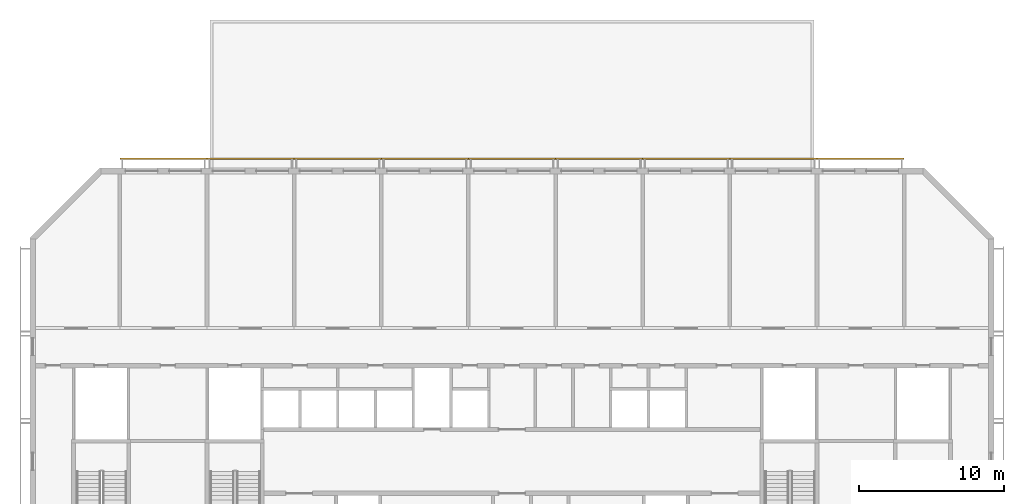
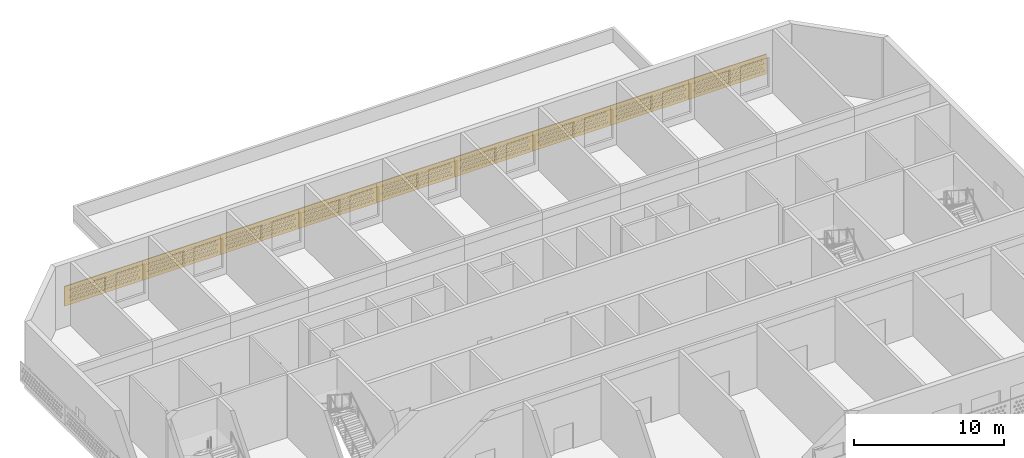
# One storey, part 17 of 18: 9 coverings.
"""IFC4 building model written with IfcOpenShell, lengths in metres."""

from ifc_helpers import new_model, si_unit, direction, frame, origin, place, context, subcontext, project, spatial, polyline, outline, extrude, source, transform, mapped, material, material_profile, profile_set, type_object, element, save


model = new_model("IFC4")

# Units and contexts
model_context = context("Model", 3, precision=1e-05, world=origin(), true_north=direction((0.0, 1.0)))
body_context = subcontext(model_context, "Body", "Model", "MODEL_VIEW")
ifc_project = project(units=[si_unit("LENGTHUNIT", "METRE"), si_unit("AREAUNIT", "SQUARE_METRE"), si_unit("VOLUMEUNIT", "CUBIC_METRE"), si_unit("PLANEANGLEUNIT", "RADIAN"), si_unit("MASSUNIT", "GRAM", prefix="KILO")], contexts=[model_context])

# Site, building, storey
site_placement = place(None, origin())
site = spatial("IfcSite", under=ifc_project, at=site_placement, CompositionType="ELEMENT")
building_placement = place(site_placement, origin())
building = spatial("IfcBuilding", under=site, at=building_placement, Name="Poui Terraces", CompositionType="ELEMENT")
storey_placement = place(building_placement, frame((0.0, 0.0, 267.0)))
storey = spatial("IfcBuildingStorey", under=building, at=storey_placement, Name="L74", CompositionType="ELEMENT", Elevation=267.0)

# Coverings
ifc_material = material(Name="Terracotta screen", Category="masonry")
ifc_material_profile = material_profile(ifc_material, outline(polyline([(-3.0, -0.800048828125), (3.0, -0.800048828125), (3.0, 0.800048828125), (-3.0, 0.800048828125), (-3.0, -0.800048828125)]), holes=[polyline([(-2.800048828125, -0.449951171875), (-2.68994140625, -0.56005859375), (-2.580078125, -0.449951171875), (-2.68994140625, -0.340087890625), (-2.800048828125, -0.449951171875)]), polyline([(-2.5, -0.449951171875), (-2.389892578125, -0.56005859375), (-2.280029296875, -0.449951171875), (-2.389892578125, -0.340087890625), (-2.5, -0.449951171875)]), polyline([(-2.199951171875, -0.449951171875), (-2.090087890625, -0.56005859375), (-1.97998046875, -0.449951171875), (-2.090087890625, -0.340087890625), (-2.199951171875, -0.449951171875)]), polyline([(-1.89990234375, -0.449951171875), (-1.7900390625, -0.56005859375), (-1.679931640625, -0.449951171875), (-1.7900390625, -0.340087890625), (-1.89990234375, -0.449951171875)]), polyline([(-1.60009765625, -0.449951171875), (-1.489990234375, -0.56005859375), (-1.3798828125, -0.449951171875), (-1.489990234375, -0.340087890625), (-1.60009765625, -0.449951171875)]), polyline([(-1.300048828125, -0.449951171875), (-1.18994140625, -0.56005859375), (-1.080078125, -0.449951171875), (-1.18994140625, -0.340087890625), (-1.300048828125, -0.449951171875)]), polyline([(-1.0, -0.449951171875), (-0.889892578125, -0.56005859375), (-0.780029296875, -0.449951171875), (-0.889892578125, -0.340087890625), (-1.0, -0.449951171875)]), polyline([(-0.699951171875, -0.449951171875), (-0.590087890625, -0.56005859375), (-0.47998046875, -0.449951171875), (-0.590087890625, -0.340087890625), (-0.699951171875, -0.449951171875)]), polyline([(-0.39990234375, -0.449951171875), (-0.2900390625, -0.56005859375), (-0.179931640625, -0.449951171875), (-0.2900390625, -0.340087890625), (-0.39990234375, -0.449951171875)]), polyline([(-0.10009765625, -0.449951171875), (0.010009765625, -0.56005859375), (0.1201171875, -0.449951171875), (0.010009765625, -0.340087890625), (-0.10009765625, -0.449951171875)]), polyline([(0.199951171875, -0.449951171875), (0.31005859375, -0.56005859375), (0.419921875, -0.449951171875), (0.31005859375, -0.340087890625), (0.199951171875, -0.449951171875)]), polyline([(0.5, -0.449951171875), (0.610107421875, -0.56005859375), (0.719970703125, -0.449951171875), (0.610107421875, -0.340087890625), (0.5, -0.449951171875)]), polyline([(0.800048828125, -0.449951171875), (0.909912109375, -0.56005859375), (1.02001953125, -0.449951171875), (0.909912109375, -0.340087890625), (0.800048828125, -0.449951171875)]), polyline([(1.10009765625, -0.449951171875), (1.2099609375, -0.56005859375), (1.320068359375, -0.449951171875), (1.2099609375, -0.340087890625), (1.10009765625, -0.449951171875)]), polyline([(1.39990234375, -0.449951171875), (1.510009765625, -0.56005859375), (1.6201171875, -0.449951171875), (1.510009765625, -0.340087890625), (1.39990234375, -0.449951171875)]), polyline([(1.699951171875, -0.449951171875), (1.81005859375, -0.56005859375), (1.919921875, -0.449951171875), (1.81005859375, -0.340087890625), (1.699951171875, -0.449951171875)]), polyline([(2.0, -0.449951171875), (2.110107421875, -0.56005859375), (2.219970703125, -0.449951171875), (2.110107421875, -0.340087890625), (2.0, -0.449951171875)]), polyline([(2.300048828125, -0.449951171875), (2.409912109375, -0.56005859375), (2.52001953125, -0.449951171875), (2.409912109375, -0.340087890625), (2.300048828125, -0.449951171875)]), polyline([(-2.64990234375, -0.14990234375), (-2.5400390625, -0.260009765625), (-2.429931640625, -0.14990234375), (-2.5400390625, -0.0400390625), (-2.64990234375, -0.14990234375)]), polyline([(-2.35009765625, -0.14990234375), (-2.239990234375, -0.260009765625), (-2.1298828125, -0.14990234375), (-2.239990234375, -0.0400390625), (-2.35009765625, -0.14990234375)]), polyline([(-2.050048828125, -0.14990234375), (-1.93994140625, -0.260009765625), (-1.830078125, -0.14990234375), (-1.93994140625, -0.0400390625), (-2.050048828125, -0.14990234375)]), polyline([(-1.75, -0.14990234375), (-1.639892578125, -0.260009765625), (-1.530029296875, -0.14990234375), (-1.639892578125, -0.0400390625), (-1.75, -0.14990234375)]), polyline([(-1.449951171875, -0.14990234375), (-1.340087890625, -0.260009765625), (-1.22998046875, -0.14990234375), (-1.340087890625, -0.0400390625), (-1.449951171875, -0.14990234375)]), polyline([(-1.14990234375, -0.14990234375), (-1.0400390625, -0.260009765625), (-0.929931640625, -0.14990234375), (-1.0400390625, -0.0400390625), (-1.14990234375, -0.14990234375)]), polyline([(-0.85009765625, -0.14990234375), (-0.739990234375, -0.260009765625), (-0.6298828125, -0.14990234375), (-0.739990234375, -0.0400390625), (-0.85009765625, -0.14990234375)]), polyline([(-0.550048828125, -0.14990234375), (-0.43994140625, -0.260009765625), (-0.330078125, -0.14990234375), (-0.43994140625, -0.0400390625), (-0.550048828125, -0.14990234375)]), polyline([(-0.25, -0.14990234375), (-0.139892578125, -0.260009765625), (-0.030029296875, -0.14990234375), (-0.139892578125, -0.0400390625), (-0.25, -0.14990234375)]), polyline([(0.050048828125, -0.14990234375), (0.159912109375, -0.260009765625), (0.27001953125, -0.14990234375), (0.159912109375, -0.0400390625), (0.050048828125, -0.14990234375)]), polyline([(0.35009765625, -0.14990234375), (0.4599609375, -0.260009765625), (0.570068359375, -0.14990234375), (0.4599609375, -0.0400390625), (0.35009765625, -0.14990234375)]), polyline([(0.64990234375, -0.14990234375), (0.760009765625, -0.260009765625), (0.8701171875, -0.14990234375), (0.760009765625, -0.0400390625), (0.64990234375, -0.14990234375)]), polyline([(0.949951171875, -0.14990234375), (1.06005859375, -0.260009765625), (1.169921875, -0.14990234375), (1.06005859375, -0.0400390625), (0.949951171875, -0.14990234375)]), polyline([(1.25, -0.14990234375), (1.360107421875, -0.260009765625), (1.469970703125, -0.14990234375), (1.360107421875, -0.0400390625), (1.25, -0.14990234375)]), polyline([(1.550048828125, -0.14990234375), (1.659912109375, -0.260009765625), (1.77001953125, -0.14990234375), (1.659912109375, -0.0400390625), (1.550048828125, -0.14990234375)]), polyline([(1.85009765625, -0.14990234375), (1.9599609375, -0.260009765625), (2.070068359375, -0.14990234375), (1.9599609375, -0.0400390625), (1.85009765625, -0.14990234375)]), polyline([(2.14990234375, -0.14990234375), (2.260009765625, -0.260009765625), (2.3701171875, -0.14990234375), (2.260009765625, -0.0400390625), (2.14990234375, -0.14990234375)]), polyline([(2.449951171875, -0.14990234375), (2.56005859375, -0.260009765625), (2.669921875, -0.14990234375), (2.56005859375, -0.0400390625), (2.449951171875, -0.14990234375)]), polyline([(-2.800048828125, 0.14990234375), (-2.68994140625, 0.0400390625), (-2.580078125, 0.14990234375), (-2.68994140625, 0.260009765625), (-2.800048828125, 0.14990234375)]), polyline([(-2.5, 0.14990234375), (-2.389892578125, 0.0400390625), (-2.280029296875, 0.14990234375), (-2.389892578125, 0.260009765625), (-2.5, 0.14990234375)]), polyline([(-2.199951171875, 0.14990234375), (-2.090087890625, 0.0400390625), (-1.97998046875, 0.14990234375), (-2.090087890625, 0.260009765625), (-2.199951171875, 0.14990234375)]), polyline([(-1.89990234375, 0.14990234375), (-1.7900390625, 0.0400390625), (-1.679931640625, 0.14990234375), (-1.7900390625, 0.260009765625), (-1.89990234375, 0.14990234375)]), polyline([(-1.60009765625, 0.14990234375), (-1.489990234375, 0.0400390625), (-1.3798828125, 0.14990234375), (-1.489990234375, 0.260009765625), (-1.60009765625, 0.14990234375)]), polyline([(-1.300048828125, 0.14990234375), (-1.18994140625, 0.0400390625), (-1.080078125, 0.14990234375), (-1.18994140625, 0.260009765625), (-1.300048828125, 0.14990234375)]), polyline([(-1.0, 0.14990234375), (-0.889892578125, 0.0400390625), (-0.780029296875, 0.14990234375), (-0.889892578125, 0.260009765625), (-1.0, 0.14990234375)]), polyline([(-0.699951171875, 0.14990234375), (-0.590087890625, 0.0400390625), (-0.47998046875, 0.14990234375), (-0.590087890625, 0.260009765625), (-0.699951171875, 0.14990234375)]), polyline([(-0.39990234375, 0.14990234375), (-0.2900390625, 0.0400390625), (-0.179931640625, 0.14990234375), (-0.2900390625, 0.260009765625), (-0.39990234375, 0.14990234375)]), polyline([(-0.10009765625, 0.14990234375), (0.010009765625, 0.0400390625), (0.1201171875, 0.14990234375), (0.010009765625, 0.260009765625), (-0.10009765625, 0.14990234375)]), polyline([(0.199951171875, 0.14990234375), (0.31005859375, 0.0400390625), (0.419921875, 0.14990234375), (0.31005859375, 0.260009765625), (0.199951171875, 0.14990234375)]), polyline([(0.5, 0.14990234375), (0.610107421875, 0.0400390625), (0.719970703125, 0.14990234375), (0.610107421875, 0.260009765625), (0.5, 0.14990234375)]), polyline([(0.800048828125, 0.14990234375), (0.909912109375, 0.0400390625), (1.02001953125, 0.14990234375), (0.909912109375, 0.260009765625), (0.800048828125, 0.14990234375)]), polyline([(1.10009765625, 0.14990234375), (1.2099609375, 0.0400390625), (1.320068359375, 0.14990234375), (1.2099609375, 0.260009765625), (1.10009765625, 0.14990234375)]), polyline([(1.39990234375, 0.14990234375), (1.510009765625, 0.0400390625), (1.6201171875, 0.14990234375), (1.510009765625, 0.260009765625), (1.39990234375, 0.14990234375)]), polyline([(1.699951171875, 0.14990234375), (1.81005859375, 0.0400390625), (1.919921875, 0.14990234375), (1.81005859375, 0.260009765625), (1.699951171875, 0.14990234375)]), polyline([(2.0, 0.14990234375), (2.110107421875, 0.0400390625), (2.219970703125, 0.14990234375), (2.110107421875, 0.260009765625), (2.0, 0.14990234375)]), polyline([(2.300048828125, 0.14990234375), (2.409912109375, 0.0400390625), (2.52001953125, 0.14990234375), (2.409912109375, 0.260009765625), (2.300048828125, 0.14990234375)]), polyline([(-2.64990234375, 0.449951171875), (-2.5400390625, 0.340087890625), (-2.429931640625, 0.449951171875), (-2.5400390625, 0.56005859375), (-2.64990234375, 0.449951171875)]), polyline([(-2.35009765625, 0.449951171875), (-2.239990234375, 0.340087890625), (-2.1298828125, 0.449951171875), (-2.239990234375, 0.56005859375), (-2.35009765625, 0.449951171875)]), polyline([(-2.050048828125, 0.449951171875), (-1.93994140625, 0.340087890625), (-1.830078125, 0.449951171875), (-1.93994140625, 0.56005859375), (-2.050048828125, 0.449951171875)]), polyline([(-1.75, 0.449951171875), (-1.639892578125, 0.340087890625), (-1.530029296875, 0.449951171875), (-1.639892578125, 0.56005859375), (-1.75, 0.449951171875)]), polyline([(-1.449951171875, 0.449951171875), (-1.340087890625, 0.340087890625), (-1.22998046875, 0.449951171875), (-1.340087890625, 0.56005859375), (-1.449951171875, 0.449951171875)]), polyline([(-1.14990234375, 0.449951171875), (-1.0400390625, 0.340087890625), (-0.929931640625, 0.449951171875), (-1.0400390625, 0.56005859375), (-1.14990234375, 0.449951171875)]), polyline([(-0.85009765625, 0.449951171875), (-0.739990234375, 0.340087890625), (-0.6298828125, 0.449951171875), (-0.739990234375, 0.56005859375), (-0.85009765625, 0.449951171875)]), polyline([(-0.550048828125, 0.449951171875), (-0.43994140625, 0.340087890625), (-0.330078125, 0.449951171875), (-0.43994140625, 0.56005859375), (-0.550048828125, 0.449951171875)]), polyline([(-0.25, 0.449951171875), (-0.139892578125, 0.340087890625), (-0.030029296875, 0.449951171875), (-0.139892578125, 0.56005859375), (-0.25, 0.449951171875)]), polyline([(0.050048828125, 0.449951171875), (0.159912109375, 0.340087890625), (0.27001953125, 0.449951171875), (0.159912109375, 0.56005859375), (0.050048828125, 0.449951171875)]), polyline([(0.35009765625, 0.449951171875), (0.4599609375, 0.340087890625), (0.570068359375, 0.449951171875), (0.4599609375, 0.56005859375), (0.35009765625, 0.449951171875)]), polyline([(0.64990234375, 0.449951171875), (0.760009765625, 0.340087890625), (0.8701171875, 0.449951171875), (0.760009765625, 0.56005859375), (0.64990234375, 0.449951171875)]), polyline([(0.949951171875, 0.449951171875), (1.06005859375, 0.340087890625), (1.169921875, 0.449951171875), (1.06005859375, 0.56005859375), (0.949951171875, 0.449951171875)]), polyline([(1.25, 0.449951171875), (1.360107421875, 0.340087890625), (1.469970703125, 0.449951171875), (1.360107421875, 0.56005859375), (1.25, 0.449951171875)]), polyline([(1.550048828125, 0.449951171875), (1.659912109375, 0.340087890625), (1.77001953125, 0.449951171875), (1.659912109375, 0.56005859375), (1.550048828125, 0.449951171875)]), polyline([(1.85009765625, 0.449951171875), (1.9599609375, 0.340087890625), (2.070068359375, 0.449951171875), (1.9599609375, 0.56005859375), (1.85009765625, 0.449951171875)]), polyline([(2.14990234375, 0.449951171875), (2.260009765625, 0.340087890625), (2.3701171875, 0.449951171875), (2.260009765625, 0.56005859375), (2.14990234375, 0.449951171875)]), polyline([(2.449951171875, 0.449951171875), (2.56005859375, 0.340087890625), (2.669921875, 0.449951171875), (2.56005859375, 0.56005859375), (2.449951171875, 0.449951171875)])]), Name="TERRACOTTA SOLAR SCREEN 6000X1600")
ifc_profile_set = profile_set([ifc_material_profile], Name="Terracotta screen")
covering_type = type_object("IfcCoveringType", Name="TERRACOTTA SOLAR SCREEN 6000X1600", PredefinedType="CLADDING", material=ifc_profile_set)
shared_shape = source(origin(), body_context, "Body", "SweptSolid", [
    extrude(outline(polyline([(-3.0, -0.800048828125), (3.0, -0.800048828125), (3.0, 0.800048828125), (-3.0, 0.800048828125), (-3.0, -0.800048828125)]), holes=[polyline([(-2.800048828125, -0.449951171875), (-2.68994140625, -0.56005859375), (-2.580078125, -0.449951171875), (-2.68994140625, -0.340087890625), (-2.800048828125, -0.449951171875)]), polyline([(-2.5, -0.449951171875), (-2.389892578125, -0.56005859375), (-2.280029296875, -0.449951171875), (-2.389892578125, -0.340087890625), (-2.5, -0.449951171875)]), polyline([(-2.199951171875, -0.449951171875), (-2.090087890625, -0.56005859375), (-1.97998046875, -0.449951171875), (-2.090087890625, -0.340087890625), (-2.199951171875, -0.449951171875)]), polyline([(-1.89990234375, -0.449951171875), (-1.7900390625, -0.56005859375), (-1.679931640625, -0.449951171875), (-1.7900390625, -0.340087890625), (-1.89990234375, -0.449951171875)]), polyline([(-1.60009765625, -0.449951171875), (-1.489990234375, -0.56005859375), (-1.3798828125, -0.449951171875), (-1.489990234375, -0.340087890625), (-1.60009765625, -0.449951171875)]), polyline([(-1.300048828125, -0.449951171875), (-1.18994140625, -0.56005859375), (-1.080078125, -0.449951171875), (-1.18994140625, -0.340087890625), (-1.300048828125, -0.449951171875)]), polyline([(-1.0, -0.449951171875), (-0.889892578125, -0.56005859375), (-0.780029296875, -0.449951171875), (-0.889892578125, -0.340087890625), (-1.0, -0.449951171875)]), polyline([(-0.699951171875, -0.449951171875), (-0.590087890625, -0.56005859375), (-0.47998046875, -0.449951171875), (-0.590087890625, -0.340087890625), (-0.699951171875, -0.449951171875)]), polyline([(-0.39990234375, -0.449951171875), (-0.2900390625, -0.56005859375), (-0.179931640625, -0.449951171875), (-0.2900390625, -0.340087890625), (-0.39990234375, -0.449951171875)]), polyline([(-0.10009765625, -0.449951171875), (0.010009765625, -0.56005859375), (0.1201171875, -0.449951171875), (0.010009765625, -0.340087890625), (-0.10009765625, -0.449951171875)]), polyline([(0.199951171875, -0.449951171875), (0.31005859375, -0.56005859375), (0.419921875, -0.449951171875), (0.31005859375, -0.340087890625), (0.199951171875, -0.449951171875)]), polyline([(0.5, -0.449951171875), (0.610107421875, -0.56005859375), (0.719970703125, -0.449951171875), (0.610107421875, -0.340087890625), (0.5, -0.449951171875)]), polyline([(0.800048828125, -0.449951171875), (0.909912109375, -0.56005859375), (1.02001953125, -0.449951171875), (0.909912109375, -0.340087890625), (0.800048828125, -0.449951171875)]), polyline([(1.10009765625, -0.449951171875), (1.2099609375, -0.56005859375), (1.320068359375, -0.449951171875), (1.2099609375, -0.340087890625), (1.10009765625, -0.449951171875)]), polyline([(1.39990234375, -0.449951171875), (1.510009765625, -0.56005859375), (1.6201171875, -0.449951171875), (1.510009765625, -0.340087890625), (1.39990234375, -0.449951171875)]), polyline([(1.699951171875, -0.449951171875), (1.81005859375, -0.56005859375), (1.919921875, -0.449951171875), (1.81005859375, -0.340087890625), (1.699951171875, -0.449951171875)]), polyline([(2.0, -0.449951171875), (2.110107421875, -0.56005859375), (2.219970703125, -0.449951171875), (2.110107421875, -0.340087890625), (2.0, -0.449951171875)]), polyline([(2.300048828125, -0.449951171875), (2.409912109375, -0.56005859375), (2.52001953125, -0.449951171875), (2.409912109375, -0.340087890625), (2.300048828125, -0.449951171875)]), polyline([(-2.64990234375, -0.14990234375), (-2.5400390625, -0.260009765625), (-2.429931640625, -0.14990234375), (-2.5400390625, -0.0400390625), (-2.64990234375, -0.14990234375)]), polyline([(-2.35009765625, -0.14990234375), (-2.239990234375, -0.260009765625), (-2.1298828125, -0.14990234375), (-2.239990234375, -0.0400390625), (-2.35009765625, -0.14990234375)]), polyline([(-2.050048828125, -0.14990234375), (-1.93994140625, -0.260009765625), (-1.830078125, -0.14990234375), (-1.93994140625, -0.0400390625), (-2.050048828125, -0.14990234375)]), polyline([(-1.75, -0.14990234375), (-1.639892578125, -0.260009765625), (-1.530029296875, -0.14990234375), (-1.639892578125, -0.0400390625), (-1.75, -0.14990234375)]), polyline([(-1.449951171875, -0.14990234375), (-1.340087890625, -0.260009765625), (-1.22998046875, -0.14990234375), (-1.340087890625, -0.0400390625), (-1.449951171875, -0.14990234375)]), polyline([(-1.14990234375, -0.14990234375), (-1.0400390625, -0.260009765625), (-0.929931640625, -0.14990234375), (-1.0400390625, -0.0400390625), (-1.14990234375, -0.14990234375)]), polyline([(-0.85009765625, -0.14990234375), (-0.739990234375, -0.260009765625), (-0.6298828125, -0.14990234375), (-0.739990234375, -0.0400390625), (-0.85009765625, -0.14990234375)]), polyline([(-0.550048828125, -0.14990234375), (-0.43994140625, -0.260009765625), (-0.330078125, -0.14990234375), (-0.43994140625, -0.0400390625), (-0.550048828125, -0.14990234375)]), polyline([(-0.25, -0.14990234375), (-0.139892578125, -0.260009765625), (-0.030029296875, -0.14990234375), (-0.139892578125, -0.0400390625), (-0.25, -0.14990234375)]), polyline([(0.050048828125, -0.14990234375), (0.159912109375, -0.260009765625), (0.27001953125, -0.14990234375), (0.159912109375, -0.0400390625), (0.050048828125, -0.14990234375)]), polyline([(0.35009765625, -0.14990234375), (0.4599609375, -0.260009765625), (0.570068359375, -0.14990234375), (0.4599609375, -0.0400390625), (0.35009765625, -0.14990234375)]), polyline([(0.64990234375, -0.14990234375), (0.760009765625, -0.260009765625), (0.8701171875, -0.14990234375), (0.760009765625, -0.0400390625), (0.64990234375, -0.14990234375)]), polyline([(0.949951171875, -0.14990234375), (1.06005859375, -0.260009765625), (1.169921875, -0.14990234375), (1.06005859375, -0.0400390625), (0.949951171875, -0.14990234375)]), polyline([(1.25, -0.14990234375), (1.360107421875, -0.260009765625), (1.469970703125, -0.14990234375), (1.360107421875, -0.0400390625), (1.25, -0.14990234375)]), polyline([(1.550048828125, -0.14990234375), (1.659912109375, -0.260009765625), (1.77001953125, -0.14990234375), (1.659912109375, -0.0400390625), (1.550048828125, -0.14990234375)]), polyline([(1.85009765625, -0.14990234375), (1.9599609375, -0.260009765625), (2.070068359375, -0.14990234375), (1.9599609375, -0.0400390625), (1.85009765625, -0.14990234375)]), polyline([(2.14990234375, -0.14990234375), (2.260009765625, -0.260009765625), (2.3701171875, -0.14990234375), (2.260009765625, -0.0400390625), (2.14990234375, -0.14990234375)]), polyline([(2.449951171875, -0.14990234375), (2.56005859375, -0.260009765625), (2.669921875, -0.14990234375), (2.56005859375, -0.0400390625), (2.449951171875, -0.14990234375)]), polyline([(-2.800048828125, 0.14990234375), (-2.68994140625, 0.0400390625), (-2.580078125, 0.14990234375), (-2.68994140625, 0.260009765625), (-2.800048828125, 0.14990234375)]), polyline([(-2.5, 0.14990234375), (-2.389892578125, 0.0400390625), (-2.280029296875, 0.14990234375), (-2.389892578125, 0.260009765625), (-2.5, 0.14990234375)]), polyline([(-2.199951171875, 0.14990234375), (-2.090087890625, 0.0400390625), (-1.97998046875, 0.14990234375), (-2.090087890625, 0.260009765625), (-2.199951171875, 0.14990234375)]), polyline([(-1.89990234375, 0.14990234375), (-1.7900390625, 0.0400390625), (-1.679931640625, 0.14990234375), (-1.7900390625, 0.260009765625), (-1.89990234375, 0.14990234375)]), polyline([(-1.60009765625, 0.14990234375), (-1.489990234375, 0.0400390625), (-1.3798828125, 0.14990234375), (-1.489990234375, 0.260009765625), (-1.60009765625, 0.14990234375)]), polyline([(-1.300048828125, 0.14990234375), (-1.18994140625, 0.0400390625), (-1.080078125, 0.14990234375), (-1.18994140625, 0.260009765625), (-1.300048828125, 0.14990234375)]), polyline([(-1.0, 0.14990234375), (-0.889892578125, 0.0400390625), (-0.780029296875, 0.14990234375), (-0.889892578125, 0.260009765625), (-1.0, 0.14990234375)]), polyline([(-0.699951171875, 0.14990234375), (-0.590087890625, 0.0400390625), (-0.47998046875, 0.14990234375), (-0.590087890625, 0.260009765625), (-0.699951171875, 0.14990234375)]), polyline([(-0.39990234375, 0.14990234375), (-0.2900390625, 0.0400390625), (-0.179931640625, 0.14990234375), (-0.2900390625, 0.260009765625), (-0.39990234375, 0.14990234375)]), polyline([(-0.10009765625, 0.14990234375), (0.010009765625, 0.0400390625), (0.1201171875, 0.14990234375), (0.010009765625, 0.260009765625), (-0.10009765625, 0.14990234375)]), polyline([(0.199951171875, 0.14990234375), (0.31005859375, 0.0400390625), (0.419921875, 0.14990234375), (0.31005859375, 0.260009765625), (0.199951171875, 0.14990234375)]), polyline([(0.5, 0.14990234375), (0.610107421875, 0.0400390625), (0.719970703125, 0.14990234375), (0.610107421875, 0.260009765625), (0.5, 0.14990234375)]), polyline([(0.800048828125, 0.14990234375), (0.909912109375, 0.0400390625), (1.02001953125, 0.14990234375), (0.909912109375, 0.260009765625), (0.800048828125, 0.14990234375)]), polyline([(1.10009765625, 0.14990234375), (1.2099609375, 0.0400390625), (1.320068359375, 0.14990234375), (1.2099609375, 0.260009765625), (1.10009765625, 0.14990234375)]), polyline([(1.39990234375, 0.14990234375), (1.510009765625, 0.0400390625), (1.6201171875, 0.14990234375), (1.510009765625, 0.260009765625), (1.39990234375, 0.14990234375)]), polyline([(1.699951171875, 0.14990234375), (1.81005859375, 0.0400390625), (1.919921875, 0.14990234375), (1.81005859375, 0.260009765625), (1.699951171875, 0.14990234375)]), polyline([(2.0, 0.14990234375), (2.110107421875, 0.0400390625), (2.219970703125, 0.14990234375), (2.110107421875, 0.260009765625), (2.0, 0.14990234375)]), polyline([(2.300048828125, 0.14990234375), (2.409912109375, 0.0400390625), (2.52001953125, 0.14990234375), (2.409912109375, 0.260009765625), (2.300048828125, 0.14990234375)]), polyline([(-2.64990234375, 0.449951171875), (-2.5400390625, 0.340087890625), (-2.429931640625, 0.449951171875), (-2.5400390625, 0.56005859375), (-2.64990234375, 0.449951171875)]), polyline([(-2.35009765625, 0.449951171875), (-2.239990234375, 0.340087890625), (-2.1298828125, 0.449951171875), (-2.239990234375, 0.56005859375), (-2.35009765625, 0.449951171875)]), polyline([(-2.050048828125, 0.449951171875), (-1.93994140625, 0.340087890625), (-1.830078125, 0.449951171875), (-1.93994140625, 0.56005859375), (-2.050048828125, 0.449951171875)]), polyline([(-1.75, 0.449951171875), (-1.639892578125, 0.340087890625), (-1.530029296875, 0.449951171875), (-1.639892578125, 0.56005859375), (-1.75, 0.449951171875)]), polyline([(-1.449951171875, 0.449951171875), (-1.340087890625, 0.340087890625), (-1.22998046875, 0.449951171875), (-1.340087890625, 0.56005859375), (-1.449951171875, 0.449951171875)]), polyline([(-1.14990234375, 0.449951171875), (-1.0400390625, 0.340087890625), (-0.929931640625, 0.449951171875), (-1.0400390625, 0.56005859375), (-1.14990234375, 0.449951171875)]), polyline([(-0.85009765625, 0.449951171875), (-0.739990234375, 0.340087890625), (-0.6298828125, 0.449951171875), (-0.739990234375, 0.56005859375), (-0.85009765625, 0.449951171875)]), polyline([(-0.550048828125, 0.449951171875), (-0.43994140625, 0.340087890625), (-0.330078125, 0.449951171875), (-0.43994140625, 0.56005859375), (-0.550048828125, 0.449951171875)]), polyline([(-0.25, 0.449951171875), (-0.139892578125, 0.340087890625), (-0.030029296875, 0.449951171875), (-0.139892578125, 0.56005859375), (-0.25, 0.449951171875)]), polyline([(0.050048828125, 0.449951171875), (0.159912109375, 0.340087890625), (0.27001953125, 0.449951171875), (0.159912109375, 0.56005859375), (0.050048828125, 0.449951171875)]), polyline([(0.35009765625, 0.449951171875), (0.4599609375, 0.340087890625), (0.570068359375, 0.449951171875), (0.4599609375, 0.56005859375), (0.35009765625, 0.449951171875)]), polyline([(0.64990234375, 0.449951171875), (0.760009765625, 0.340087890625), (0.8701171875, 0.449951171875), (0.760009765625, 0.56005859375), (0.64990234375, 0.449951171875)]), polyline([(0.949951171875, 0.449951171875), (1.06005859375, 0.340087890625), (1.169921875, 0.449951171875), (1.06005859375, 0.56005859375), (0.949951171875, 0.449951171875)]), polyline([(1.25, 0.449951171875), (1.360107421875, 0.340087890625), (1.469970703125, 0.449951171875), (1.360107421875, 0.56005859375), (1.25, 0.449951171875)]), polyline([(1.550048828125, 0.449951171875), (1.659912109375, 0.340087890625), (1.77001953125, 0.449951171875), (1.659912109375, 0.56005859375), (1.550048828125, 0.449951171875)]), polyline([(1.85009765625, 0.449951171875), (1.9599609375, 0.340087890625), (2.070068359375, 0.449951171875), (1.9599609375, 0.56005859375), (1.85009765625, 0.449951171875)]), polyline([(2.14990234375, 0.449951171875), (2.260009765625, 0.340087890625), (2.3701171875, 0.449951171875), (2.260009765625, 0.56005859375), (2.14990234375, 0.449951171875)]), polyline([(2.449951171875, 0.449951171875), (2.56005859375, 0.340087890625), (2.669921875, 0.449951171875), (2.56005859375, 0.56005859375), (2.449951171875, 0.449951171875)])]), origin(), (0.0, 0.0, 1.0), 0.080078125),
])
for number, where, z_axis, x_axis, name in (
    (1, (27.0, 42.0, 1.699951171875), (0.0, 1.0, 0.0), (-1.0, 0.0, 0.0), "SOLAR SCREEN"),
    (2, (33.0, 42.0, 1.699951171875), (0.0, 1.0, 0.0), (-1.0, 0.0, 0.0), "SOLAR SCREEN"),
    (3, (39.0, 42.0, 1.699951171875), (0.0, 1.0, 0.0), (-1.0, 0.0, 0.0), "SOLAR SCREEN"),
    (4, (45.0, 42.0, 1.699951171875), (0.0, 1.0, 0.0), (-1.0, 0.0, 0.0), "SOLAR SCREEN"),
    (5, (51.0, 42.0, 1.699951171875), (0.0, 1.0, 0.0), (-1.0, 0.0, 0.0), "SOLAR SCREEN"),
    (6, (57.0, 42.0, 1.699951171875), (0.0, 1.0, 0.0), (-1.0, 0.0, 0.0), "SOLAR SCREEN"),
    (7, (63.0, 42.0, 1.699951171875), (0.0, 1.0, 0.0), (-1.0, 0.0, 0.0), "SOLAR SCREEN"),
    (8, (69.0, 42.0, 1.699951171875), (0.0, 1.0, 0.0), (-1.0, 0.0, 0.0), "SOLAR SCREEN"),
    (9, (75.0, 42.0, 1.699951171875), (0.0, 1.0, 0.0), (-1.0, 0.0, 0.0), "SOLAR SCREEN"),
):
    element("IfcCovering", number, at=place(storey_placement, frame(where, z_axis=z_axis, x_axis=x_axis)), inside=storey, type_object=covering_type, Name=name, PredefinedType="CLADDING", context=body_context, shape_type="MappedRepresentation", body=[
        mapped(shared_shape, transform((0.0, 0.0, 0.0))),
    ])

save(model, "model.ifc")
